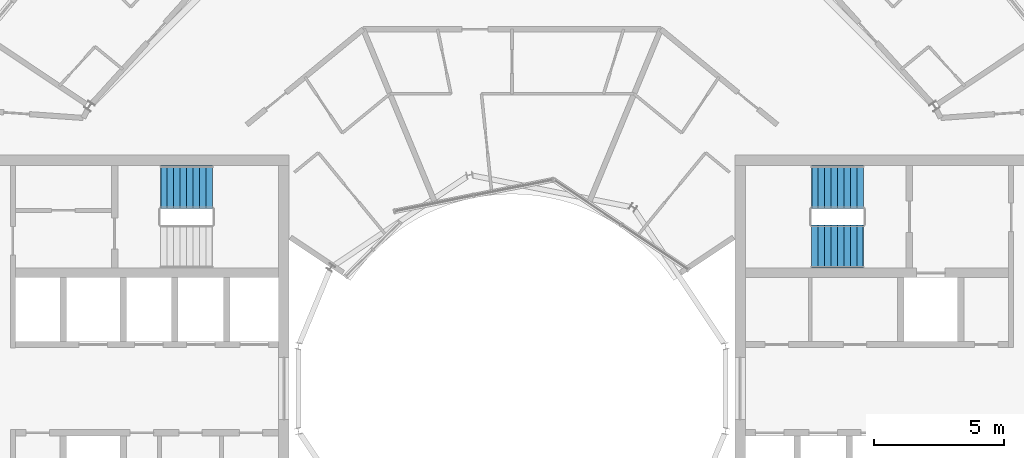
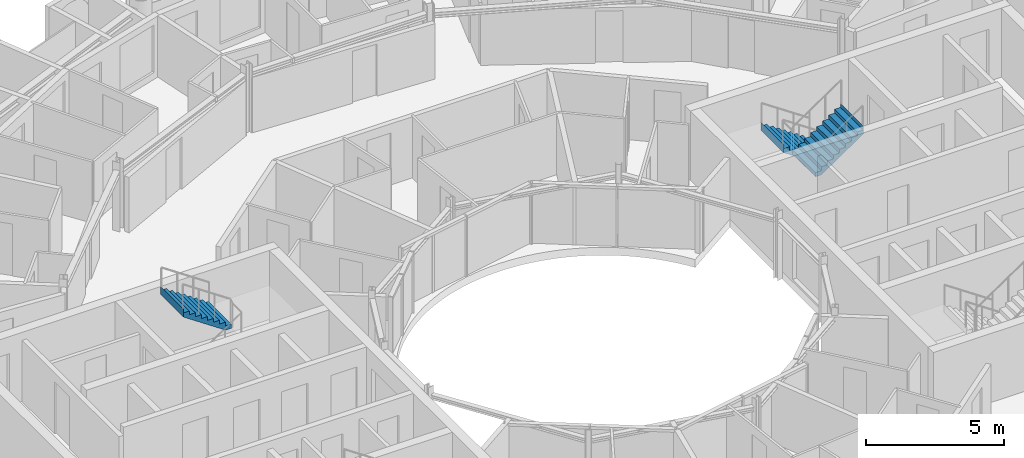
# One storey, part 25 of 27: 3 stair flights, 2 elements without a shape of their own.
"""IFC4 building model written with IfcOpenShell, lengths in metres."""

from ifc_helpers import new_model, si_unit, direction, frame, origin, place, context, subcontext, project, spatial, triangles, material, type_object, element, aggregate, save


model = new_model("IFC4")

# Units and contexts
model_context = context("Model", 3, precision=1e-05, world=origin(), true_north=direction((0.0, 1.0)))
body_context = subcontext(model_context, "Body", "Model", "MODEL_VIEW")
ifc_project = project(units=[si_unit("LENGTHUNIT", "METRE"), si_unit("AREAUNIT", "SQUARE_METRE"), si_unit("VOLUMEUNIT", "CUBIC_METRE"), si_unit("PLANEANGLEUNIT", "RADIAN"), si_unit("MASSUNIT", "GRAM", prefix="KILO")], contexts=[model_context])

# Site, building, storey
site_placement = place(None, origin())
site = spatial("IfcSite", under=ifc_project, at=site_placement, CompositionType="ELEMENT")
building_placement = place(site_placement, origin())
building = spatial("IfcBuilding", under=site, at=building_placement, Name="Maasbend Ring Residences", CompositionType="ELEMENT")
storey_placement = place(building_placement, frame((0.0, 0.0, 240.14990234375)))
storey = spatial("IfcBuildingStorey", under=building, at=storey_placement, Name="L69", CompositionType="ELEMENT", Elevation=240.14990234375)

# Stair, stair flights
ifc_material_1 = material(Name="Concrete C40/50", Category="concrete")
stair_type = type_object("IfcStairType", Name="CORE STAIR 18 RISERS", PredefinedType="HALF_TURN_STAIR", material=ifc_material_1)
stair_1_placement = place(storey_placement, origin())
stair_1 = element("IfcStair", 1, at=stair_1_placement, inside=storey, type_object=stair_type, Name="L69 Exit stair ST-E1", PredefinedType="HALF_TURN_STAIR")
ifc_material_2 = material(Name="Concrete C40/50", Category="concrete")
stair_flight_type = type_object("IfcStairFlightType", Name="CORE STAIR FLIGHT 1650", PredefinedType="STRAIGHT", material=ifc_material_2)
stair_flight_1_placement = place(storey_placement, frame((13.550048828125, 7.77490234375, 0.0), z_axis=(0.0, 0.0, 1.0), x_axis=(-1.0, 0.0, 0.0)))
stair_flight_1 = element("IfcStairFlight", 2, at=stair_flight_1_placement, type_object=stair_flight_type, Name="ST-E1 flight 1", NumberOfRisers=9, NumberOfTreads=8, PredefinedType="STRAIGHT", RiserHeight=0.169444444, TreadLength=0.25, context=body_context, shape_type="Tessellation", body=[
    triangles([(0.24072265625, 0.824951171875, -0.02001953125), (2.0029296875, 0.824951171875, 1.174560546875), (2.0029296875, 0.824951171875, 1.52490234375), (1.989990234375, 0.824951171875, 1.35546875), (1.75, 0.824951171875, 1.35546875), (1.75, 0.824951171875, 1.18603515625), (1.5, 0.824951171875, 1.18603515625), (1.5, 0.824951171875, 1.0166015625), (1.25, 0.824951171875, 1.0166015625), (1.25, 0.824951171875, 0.84716796875), (1.0, 0.824951171875, 0.84716796875), (1.0, 0.824951171875, 0.677734375), (0.75, 0.824951171875, 0.677734375), (0.75, 0.824951171875, 0.50830078125), (0.5, 0.824951171875, 0.50830078125), (0.5, 0.824951171875, 0.3388671875), (0.25, 0.824951171875, 0.3388671875), (0.25, 0.824951171875, 0.16943359375), (0.0, 0.824951171875, 0.16943359375), (0.0, 0.824951171875, 0.0), (-0.0029296875, 0.824951171875, 0.0), (-0.0029296875, 0.824951171875, -0.02001953125), (0.24072265625, 0.27490234375, -0.02001953125), (2.0029296875, 0.27490234375, 1.174560546875), (2.0029296875, 0.27490234375, 1.52490234375), (1.989990234375, 0.27490234375, 1.35546875), (1.75, 0.27490234375, 1.35546875), (1.75, 0.27490234375, 1.18603515625), (1.5, 0.27490234375, 1.18603515625), (1.5, 0.27490234375, 1.0166015625), (1.25, 0.27490234375, 1.0166015625), (1.25, 0.27490234375, 0.84716796875), (1.0, 0.27490234375, 0.84716796875), (1.0, 0.27490234375, 0.677734375), (0.75, 0.27490234375, 0.677734375), (0.75, 0.27490234375, 0.50830078125), (0.5, 0.27490234375, 0.50830078125), (0.5, 0.27490234375, 0.3388671875), (0.25, 0.27490234375, 0.3388671875), (0.25, 0.27490234375, 0.16943359375), (0.0, 0.27490234375, 0.16943359375), (0.0, 0.27490234375, 0.0), (-0.0029296875, 0.27490234375, 0.0), (-0.0029296875, 0.27490234375, -0.02001953125), (0.24072265625, -0.27490234375, -0.02001953125), (2.0029296875, -0.27490234375, 1.174560546875), (2.0029296875, -0.27490234375, 1.52490234375), (1.989990234375, -0.27490234375, 1.35546875), (1.75, -0.27490234375, 1.35546875), (1.75, -0.27490234375, 1.18603515625), (1.5, -0.27490234375, 1.18603515625), (1.5, -0.27490234375, 1.0166015625), (1.25, -0.27490234375, 1.0166015625), (1.25, -0.27490234375, 0.84716796875), (1.0, -0.27490234375, 0.84716796875), (1.0, -0.27490234375, 0.677734375), (0.75, -0.27490234375, 0.677734375), (0.75, -0.27490234375, 0.50830078125), (0.5, -0.27490234375, 0.50830078125), (0.5, -0.27490234375, 0.3388671875), (0.25, -0.27490234375, 0.3388671875), (0.25, -0.27490234375, 0.16943359375), (0.0, -0.27490234375, 0.16943359375), (0.0, -0.27490234375, 0.0), (-0.0029296875, -0.27490234375, 0.0), (-0.0029296875, -0.27490234375, -0.02001953125), (0.24072265625, -0.824951171875, -0.02001953125), (2.0029296875, -0.824951171875, 1.174560546875), (2.0029296875, -0.824951171875, 1.52490234375), (1.989990234375, -0.824951171875, 1.35546875), (1.75, -0.824951171875, 1.35546875), (1.75, -0.824951171875, 1.18603515625), (1.5, -0.824951171875, 1.18603515625), (1.5, -0.824951171875, 1.0166015625), (1.25, -0.824951171875, 1.0166015625), (1.25, -0.824951171875, 0.84716796875), (1.0, -0.824951171875, 0.84716796875), (1.0, -0.824951171875, 0.677734375), (0.75, -0.824951171875, 0.677734375), (0.75, -0.824951171875, 0.50830078125), (0.5, -0.824951171875, 0.50830078125), (0.5, -0.824951171875, 0.3388671875), (0.25, -0.824951171875, 0.3388671875), (0.25, -0.824951171875, 0.16943359375), (0.0, -0.824951171875, 0.16943359375), (0.0, -0.824951171875, 0.0), (-0.0029296875, -0.824951171875, 0.0), (-0.0029296875, -0.824951171875, -0.02001953125)], [[1, 2, 24], [1, 24, 23], [23, 24, 46], [23, 46, 45], [45, 46, 68], [45, 68, 67], [2, 3, 25], [2, 25, 24], [24, 25, 47], [24, 47, 46], [46, 47, 69], [46, 69, 68], [3, 4, 26], [3, 26, 25], [25, 26, 48], [25, 48, 47], [47, 48, 70], [47, 70, 69], [4, 5, 27], [4, 27, 26], [26, 27, 49], [26, 49, 48], [48, 49, 71], [48, 71, 70], [5, 6, 28], [5, 28, 27], [27, 28, 50], [27, 50, 49], [49, 50, 72], [49, 72, 71], [6, 7, 29], [6, 29, 28], [28, 29, 51], [28, 51, 50], [50, 51, 73], [50, 73, 72], [7, 8, 30], [7, 30, 29], [29, 30, 52], [29, 52, 51], [51, 52, 74], [51, 74, 73], [8, 9, 31], [8, 31, 30], [30, 31, 53], [30, 53, 52], [52, 53, 75], [52, 75, 74], [9, 10, 32], [9, 32, 31], [31, 32, 54], [31, 54, 53], [53, 54, 76], [53, 76, 75], [10, 11, 33], [10, 33, 32], [32, 33, 55], [32, 55, 54], [54, 55, 77], [54, 77, 76], [11, 12, 34], [11, 34, 33], [33, 34, 56], [33, 56, 55], [55, 56, 78], [55, 78, 77], [12, 13, 35], [12, 35, 34], [34, 35, 57], [34, 57, 56], [56, 57, 79], [56, 79, 78], [13, 14, 36], [13, 36, 35], [35, 36, 58], [35, 58, 57], [57, 58, 80], [57, 80, 79], [14, 15, 37], [14, 37, 36], [36, 37, 59], [36, 59, 58], [58, 59, 81], [58, 81, 80], [15, 16, 38], [15, 38, 37], [37, 38, 60], [37, 60, 59], [59, 60, 82], [59, 82, 81], [16, 17, 39], [16, 39, 38], [38, 39, 61], [38, 61, 60], [60, 61, 83], [60, 83, 82], [17, 18, 40], [17, 40, 39], [39, 40, 62], [39, 62, 61], [61, 62, 84], [61, 84, 83], [18, 19, 41], [18, 41, 40], [40, 41, 63], [40, 63, 62], [62, 63, 85], [62, 85, 84], [19, 20, 42], [19, 42, 41], [41, 42, 64], [41, 64, 63], [63, 64, 86], [63, 86, 85], [20, 21, 43], [20, 43, 42], [42, 43, 65], [42, 65, 64], [64, 65, 87], [64, 87, 86], [21, 22, 44], [21, 44, 43], [43, 44, 66], [43, 66, 65], [65, 66, 88], [65, 88, 87], [22, 1, 23], [22, 23, 44], [44, 23, 45], [44, 45, 66], [66, 45, 67], [66, 67, 88], [22, 2, 1], [2, 4, 3], [2, 5, 4], [2, 6, 5], [22, 6, 2], [6, 8, 7], [22, 8, 6], [8, 10, 9], [22, 10, 8], [10, 12, 11], [22, 12, 10], [12, 14, 13], [22, 14, 12], [14, 16, 15], [22, 16, 14], [16, 18, 17], [22, 18, 16], [18, 20, 19], [22, 20, 18], [20, 22, 21], [88, 67, 68], [68, 69, 70], [68, 70, 71], [68, 71, 72], [88, 68, 72], [72, 73, 74], [88, 72, 74], [74, 75, 76], [88, 74, 76], [76, 77, 78], [88, 76, 78], [78, 79, 80], [88, 78, 80], [80, 81, 82], [88, 80, 82], [82, 83, 84], [88, 82, 84], [84, 85, 86], [88, 84, 86], [86, 87, 88]], closed=True),
])
stair_flight_2_placement = place(storey_placement, frame((11.550048828125, 5.47509765625, 1.525146484375), z_axis=(0.0, 0.0, 1.0), x_axis=(1.0, 0.0, 0.0)))
stair_flight_2 = element("IfcStairFlight", 3, at=stair_flight_2_placement, type_object=stair_flight_type, Name="ST-E1 flight 2", NumberOfRisers=9, NumberOfTreads=8, PredefinedType="STRAIGHT", RiserHeight=0.169444444, TreadLength=0.25, context=body_context, shape_type="Tessellation", body=[
    triangles([(0.24072265625, 0.824951171875, -0.02001953125), (2.0029296875, 0.824951171875, 1.174560546875), (2.0029296875, 0.824951171875, 1.52490234375), (1.989990234375, 0.824951171875, 1.35546875), (1.75, 0.824951171875, 1.35546875), (1.75, 0.824951171875, 1.18603515625), (1.5, 0.824951171875, 1.18603515625), (1.5, 0.824951171875, 1.0166015625), (1.25, 0.824951171875, 1.0166015625), (1.25, 0.824951171875, 0.84716796875), (1.0, 0.824951171875, 0.84716796875), (1.0, 0.824951171875, 0.677734375), (0.75, 0.824951171875, 0.677734375), (0.75, 0.824951171875, 0.50830078125), (0.5, 0.824951171875, 0.50830078125), (0.5, 0.824951171875, 0.3388671875), (0.25, 0.824951171875, 0.3388671875), (0.25, 0.824951171875, 0.16943359375), (0.0, 0.824951171875, 0.16943359375), (0.0, 0.824951171875, 0.0), (-0.0029296875, 0.824951171875, 0.0), (-0.0029296875, 0.824951171875, -0.02001953125), (0.24072265625, 0.27490234375, -0.02001953125), (2.0029296875, 0.27490234375, 1.174560546875), (2.0029296875, 0.27490234375, 1.52490234375), (1.989990234375, 0.27490234375, 1.35546875), (1.75, 0.27490234375, 1.35546875), (1.75, 0.27490234375, 1.18603515625), (1.5, 0.27490234375, 1.18603515625), (1.5, 0.27490234375, 1.0166015625), (1.25, 0.27490234375, 1.0166015625), (1.25, 0.27490234375, 0.84716796875), (1.0, 0.27490234375, 0.84716796875), (1.0, 0.27490234375, 0.677734375), (0.75, 0.27490234375, 0.677734375), (0.75, 0.27490234375, 0.50830078125), (0.5, 0.27490234375, 0.50830078125), (0.5, 0.27490234375, 0.3388671875), (0.25, 0.27490234375, 0.3388671875), (0.25, 0.27490234375, 0.16943359375), (0.0, 0.27490234375, 0.16943359375), (0.0, 0.27490234375, 0.0), (-0.0029296875, 0.27490234375, 0.0), (-0.0029296875, 0.27490234375, -0.02001953125), (0.24072265625, -0.27490234375, -0.02001953125), (2.0029296875, -0.27490234375, 1.174560546875), (2.0029296875, -0.27490234375, 1.52490234375), (1.989990234375, -0.27490234375, 1.35546875), (1.75, -0.27490234375, 1.35546875), (1.75, -0.27490234375, 1.18603515625), (1.5, -0.27490234375, 1.18603515625), (1.5, -0.27490234375, 1.0166015625), (1.25, -0.27490234375, 1.0166015625), (1.25, -0.27490234375, 0.84716796875), (1.0, -0.27490234375, 0.84716796875), (1.0, -0.27490234375, 0.677734375), (0.75, -0.27490234375, 0.677734375), (0.75, -0.27490234375, 0.50830078125), (0.5, -0.27490234375, 0.50830078125), (0.5, -0.27490234375, 0.3388671875), (0.25, -0.27490234375, 0.3388671875), (0.25, -0.27490234375, 0.16943359375), (0.0, -0.27490234375, 0.16943359375), (0.0, -0.27490234375, 0.0), (-0.0029296875, -0.27490234375, 0.0), (-0.0029296875, -0.27490234375, -0.02001953125), (0.24072265625, -0.824951171875, -0.02001953125), (2.0029296875, -0.824951171875, 1.174560546875), (2.0029296875, -0.824951171875, 1.52490234375), (1.989990234375, -0.824951171875, 1.35546875), (1.75, -0.824951171875, 1.35546875), (1.75, -0.824951171875, 1.18603515625), (1.5, -0.824951171875, 1.18603515625), (1.5, -0.824951171875, 1.0166015625), (1.25, -0.824951171875, 1.0166015625), (1.25, -0.824951171875, 0.84716796875), (1.0, -0.824951171875, 0.84716796875), (1.0, -0.824951171875, 0.677734375), (0.75, -0.824951171875, 0.677734375), (0.75, -0.824951171875, 0.50830078125), (0.5, -0.824951171875, 0.50830078125), (0.5, -0.824951171875, 0.3388671875), (0.25, -0.824951171875, 0.3388671875), (0.25, -0.824951171875, 0.16943359375), (0.0, -0.824951171875, 0.16943359375), (0.0, -0.824951171875, 0.0), (-0.0029296875, -0.824951171875, 0.0), (-0.0029296875, -0.824951171875, -0.02001953125)], [[1, 2, 24], [1, 24, 23], [23, 24, 46], [23, 46, 45], [45, 46, 68], [45, 68, 67], [2, 3, 25], [2, 25, 24], [24, 25, 47], [24, 47, 46], [46, 47, 69], [46, 69, 68], [3, 4, 26], [3, 26, 25], [25, 26, 48], [25, 48, 47], [47, 48, 70], [47, 70, 69], [4, 5, 27], [4, 27, 26], [26, 27, 49], [26, 49, 48], [48, 49, 71], [48, 71, 70], [5, 6, 28], [5, 28, 27], [27, 28, 50], [27, 50, 49], [49, 50, 72], [49, 72, 71], [6, 7, 29], [6, 29, 28], [28, 29, 51], [28, 51, 50], [50, 51, 73], [50, 73, 72], [7, 8, 30], [7, 30, 29], [29, 30, 52], [29, 52, 51], [51, 52, 74], [51, 74, 73], [8, 9, 31], [8, 31, 30], [30, 31, 53], [30, 53, 52], [52, 53, 75], [52, 75, 74], [9, 10, 32], [9, 32, 31], [31, 32, 54], [31, 54, 53], [53, 54, 76], [53, 76, 75], [10, 11, 33], [10, 33, 32], [32, 33, 55], [32, 55, 54], [54, 55, 77], [54, 77, 76], [11, 12, 34], [11, 34, 33], [33, 34, 56], [33, 56, 55], [55, 56, 78], [55, 78, 77], [12, 13, 35], [12, 35, 34], [34, 35, 57], [34, 57, 56], [56, 57, 79], [56, 79, 78], [13, 14, 36], [13, 36, 35], [35, 36, 58], [35, 58, 57], [57, 58, 80], [57, 80, 79], [14, 15, 37], [14, 37, 36], [36, 37, 59], [36, 59, 58], [58, 59, 81], [58, 81, 80], [15, 16, 38], [15, 38, 37], [37, 38, 60], [37, 60, 59], [59, 60, 82], [59, 82, 81], [16, 17, 39], [16, 39, 38], [38, 39, 61], [38, 61, 60], [60, 61, 83], [60, 83, 82], [17, 18, 40], [17, 40, 39], [39, 40, 62], [39, 62, 61], [61, 62, 84], [61, 84, 83], [18, 19, 41], [18, 41, 40], [40, 41, 63], [40, 63, 62], [62, 63, 85], [62, 85, 84], [19, 20, 42], [19, 42, 41], [41, 42, 64], [41, 64, 63], [63, 64, 86], [63, 86, 85], [20, 21, 43], [20, 43, 42], [42, 43, 65], [42, 65, 64], [64, 65, 87], [64, 87, 86], [21, 22, 44], [21, 44, 43], [43, 44, 66], [43, 66, 65], [65, 66, 88], [65, 88, 87], [22, 1, 23], [22, 23, 44], [44, 23, 45], [44, 45, 66], [66, 45, 67], [66, 67, 88], [22, 2, 1], [2, 4, 3], [2, 5, 4], [2, 6, 5], [22, 6, 2], [6, 8, 7], [22, 8, 6], [8, 10, 9], [22, 10, 8], [10, 12, 11], [22, 12, 10], [12, 14, 13], [22, 14, 12], [14, 16, 15], [22, 16, 14], [16, 18, 17], [22, 18, 16], [18, 20, 19], [22, 20, 18], [20, 22, 21], [88, 67, 68], [68, 69, 70], [68, 70, 71], [68, 71, 72], [88, 68, 72], [72, 73, 74], [88, 72, 74], [74, 75, 76], [88, 74, 76], [76, 77, 78], [88, 76, 78], [78, 79, 80], [88, 78, 80], [80, 81, 82], [88, 80, 82], [82, 83, 84], [88, 82, 84], [84, 85, 86], [88, 84, 86], [86, 87, 88]], closed=True),
])
aggregate(stair_1, [stair_flight_1, stair_flight_2])

# Stair, stair flight
stair_2_placement = place(storey_placement, origin())
stair_2 = element("IfcStair", 4, at=stair_2_placement, inside=storey, type_object=stair_type, Name="L69 Exit stair ST-W2", PredefinedType="HALF_TURN_STAIR")
stair_flight_3_placement = place(storey_placement, frame((-11.550048828125, 7.77490234375, 1.525146484375), z_axis=(0.0, 0.0, 1.0), x_axis=(-1.0, 0.0, 0.0)))
stair_flight_3 = element("IfcStairFlight", 5, at=stair_flight_3_placement, type_object=stair_flight_type, Name="ST-W2 flight 2", NumberOfRisers=9, NumberOfTreads=8, PredefinedType="STRAIGHT", RiserHeight=0.169444444, TreadLength=0.25, context=body_context, shape_type="Tessellation", body=[
    triangles([(0.24072265625, 0.824951171875, -0.02001953125), (2.0029296875, 0.824951171875, 1.174560546875), (2.0029296875, 0.824951171875, 1.52490234375), (1.989990234375, 0.824951171875, 1.35546875), (1.75, 0.824951171875, 1.35546875), (1.75, 0.824951171875, 1.18603515625), (1.5, 0.824951171875, 1.18603515625), (1.5, 0.824951171875, 1.0166015625), (1.25, 0.824951171875, 1.0166015625), (1.25, 0.824951171875, 0.84716796875), (1.0, 0.824951171875, 0.84716796875), (1.0, 0.824951171875, 0.677734375), (0.75, 0.824951171875, 0.677734375), (0.75, 0.824951171875, 0.50830078125), (0.5, 0.824951171875, 0.50830078125), (0.5, 0.824951171875, 0.3388671875), (0.25, 0.824951171875, 0.3388671875), (0.25, 0.824951171875, 0.16943359375), (0.0, 0.824951171875, 0.16943359375), (0.0, 0.824951171875, 0.0), (-0.0029296875, 0.824951171875, 0.0), (-0.0029296875, 0.824951171875, -0.02001953125), (0.24072265625, 0.27490234375, -0.02001953125), (2.0029296875, 0.27490234375, 1.174560546875), (2.0029296875, 0.27490234375, 1.52490234375), (1.989990234375, 0.27490234375, 1.35546875), (1.75, 0.27490234375, 1.35546875), (1.75, 0.27490234375, 1.18603515625), (1.5, 0.27490234375, 1.18603515625), (1.5, 0.27490234375, 1.0166015625), (1.25, 0.27490234375, 1.0166015625), (1.25, 0.27490234375, 0.84716796875), (1.0, 0.27490234375, 0.84716796875), (1.0, 0.27490234375, 0.677734375), (0.75, 0.27490234375, 0.677734375), (0.75, 0.27490234375, 0.50830078125), (0.5, 0.27490234375, 0.50830078125), (0.5, 0.27490234375, 0.3388671875), (0.25, 0.27490234375, 0.3388671875), (0.25, 0.27490234375, 0.16943359375), (0.0, 0.27490234375, 0.16943359375), (0.0, 0.27490234375, 0.0), (-0.0029296875, 0.27490234375, 0.0), (-0.0029296875, 0.27490234375, -0.02001953125), (0.24072265625, -0.27490234375, -0.02001953125), (2.0029296875, -0.27490234375, 1.174560546875), (2.0029296875, -0.27490234375, 1.52490234375), (1.989990234375, -0.27490234375, 1.35546875), (1.75, -0.27490234375, 1.35546875), (1.75, -0.27490234375, 1.18603515625), (1.5, -0.27490234375, 1.18603515625), (1.5, -0.27490234375, 1.0166015625), (1.25, -0.27490234375, 1.0166015625), (1.25, -0.27490234375, 0.84716796875), (1.0, -0.27490234375, 0.84716796875), (1.0, -0.27490234375, 0.677734375), (0.75, -0.27490234375, 0.677734375), (0.75, -0.27490234375, 0.50830078125), (0.5, -0.27490234375, 0.50830078125), (0.5, -0.27490234375, 0.3388671875), (0.25, -0.27490234375, 0.3388671875), (0.25, -0.27490234375, 0.16943359375), (0.0, -0.27490234375, 0.16943359375), (0.0, -0.27490234375, 0.0), (-0.0029296875, -0.27490234375, 0.0), (-0.0029296875, -0.27490234375, -0.02001953125), (0.24072265625, -0.824951171875, -0.02001953125), (2.0029296875, -0.824951171875, 1.174560546875), (2.0029296875, -0.824951171875, 1.52490234375), (1.989990234375, -0.824951171875, 1.35546875), (1.75, -0.824951171875, 1.35546875), (1.75, -0.824951171875, 1.18603515625), (1.5, -0.824951171875, 1.18603515625), (1.5, -0.824951171875, 1.0166015625), (1.25, -0.824951171875, 1.0166015625), (1.25, -0.824951171875, 0.84716796875), (1.0, -0.824951171875, 0.84716796875), (1.0, -0.824951171875, 0.677734375), (0.75, -0.824951171875, 0.677734375), (0.75, -0.824951171875, 0.50830078125), (0.5, -0.824951171875, 0.50830078125), (0.5, -0.824951171875, 0.3388671875), (0.25, -0.824951171875, 0.3388671875), (0.25, -0.824951171875, 0.16943359375), (0.0, -0.824951171875, 0.16943359375), (0.0, -0.824951171875, 0.0), (-0.0029296875, -0.824951171875, 0.0), (-0.0029296875, -0.824951171875, -0.02001953125)], [[1, 2, 24], [1, 24, 23], [23, 24, 46], [23, 46, 45], [45, 46, 68], [45, 68, 67], [2, 3, 25], [2, 25, 24], [24, 25, 47], [24, 47, 46], [46, 47, 69], [46, 69, 68], [3, 4, 26], [3, 26, 25], [25, 26, 48], [25, 48, 47], [47, 48, 70], [47, 70, 69], [4, 5, 27], [4, 27, 26], [26, 27, 49], [26, 49, 48], [48, 49, 71], [48, 71, 70], [5, 6, 28], [5, 28, 27], [27, 28, 50], [27, 50, 49], [49, 50, 72], [49, 72, 71], [6, 7, 29], [6, 29, 28], [28, 29, 51], [28, 51, 50], [50, 51, 73], [50, 73, 72], [7, 8, 30], [7, 30, 29], [29, 30, 52], [29, 52, 51], [51, 52, 74], [51, 74, 73], [8, 9, 31], [8, 31, 30], [30, 31, 53], [30, 53, 52], [52, 53, 75], [52, 75, 74], [9, 10, 32], [9, 32, 31], [31, 32, 54], [31, 54, 53], [53, 54, 76], [53, 76, 75], [10, 11, 33], [10, 33, 32], [32, 33, 55], [32, 55, 54], [54, 55, 77], [54, 77, 76], [11, 12, 34], [11, 34, 33], [33, 34, 56], [33, 56, 55], [55, 56, 78], [55, 78, 77], [12, 13, 35], [12, 35, 34], [34, 35, 57], [34, 57, 56], [56, 57, 79], [56, 79, 78], [13, 14, 36], [13, 36, 35], [35, 36, 58], [35, 58, 57], [57, 58, 80], [57, 80, 79], [14, 15, 37], [14, 37, 36], [36, 37, 59], [36, 59, 58], [58, 59, 81], [58, 81, 80], [15, 16, 38], [15, 38, 37], [37, 38, 60], [37, 60, 59], [59, 60, 82], [59, 82, 81], [16, 17, 39], [16, 39, 38], [38, 39, 61], [38, 61, 60], [60, 61, 83], [60, 83, 82], [17, 18, 40], [17, 40, 39], [39, 40, 62], [39, 62, 61], [61, 62, 84], [61, 84, 83], [18, 19, 41], [18, 41, 40], [40, 41, 63], [40, 63, 62], [62, 63, 85], [62, 85, 84], [19, 20, 42], [19, 42, 41], [41, 42, 64], [41, 64, 63], [63, 64, 86], [63, 86, 85], [20, 21, 43], [20, 43, 42], [42, 43, 65], [42, 65, 64], [64, 65, 87], [64, 87, 86], [21, 22, 44], [21, 44, 43], [43, 44, 66], [43, 66, 65], [65, 66, 88], [65, 88, 87], [22, 1, 23], [22, 23, 44], [44, 23, 45], [44, 45, 66], [66, 45, 67], [66, 67, 88], [22, 2, 1], [2, 4, 3], [2, 5, 4], [2, 6, 5], [22, 6, 2], [6, 8, 7], [22, 8, 6], [8, 10, 9], [22, 10, 8], [10, 12, 11], [22, 12, 10], [12, 14, 13], [22, 14, 12], [14, 16, 15], [22, 16, 14], [16, 18, 17], [22, 18, 16], [18, 20, 19], [22, 20, 18], [20, 22, 21], [88, 67, 68], [68, 69, 70], [68, 70, 71], [68, 71, 72], [88, 68, 72], [72, 73, 74], [88, 72, 74], [74, 75, 76], [88, 74, 76], [76, 77, 78], [88, 76, 78], [78, 79, 80], [88, 78, 80], [80, 81, 82], [88, 80, 82], [82, 83, 84], [88, 82, 84], [84, 85, 86], [88, 84, 86], [86, 87, 88]], closed=True),
])
aggregate(stair_2, [stair_flight_3])

save(model, "model.ifc")
